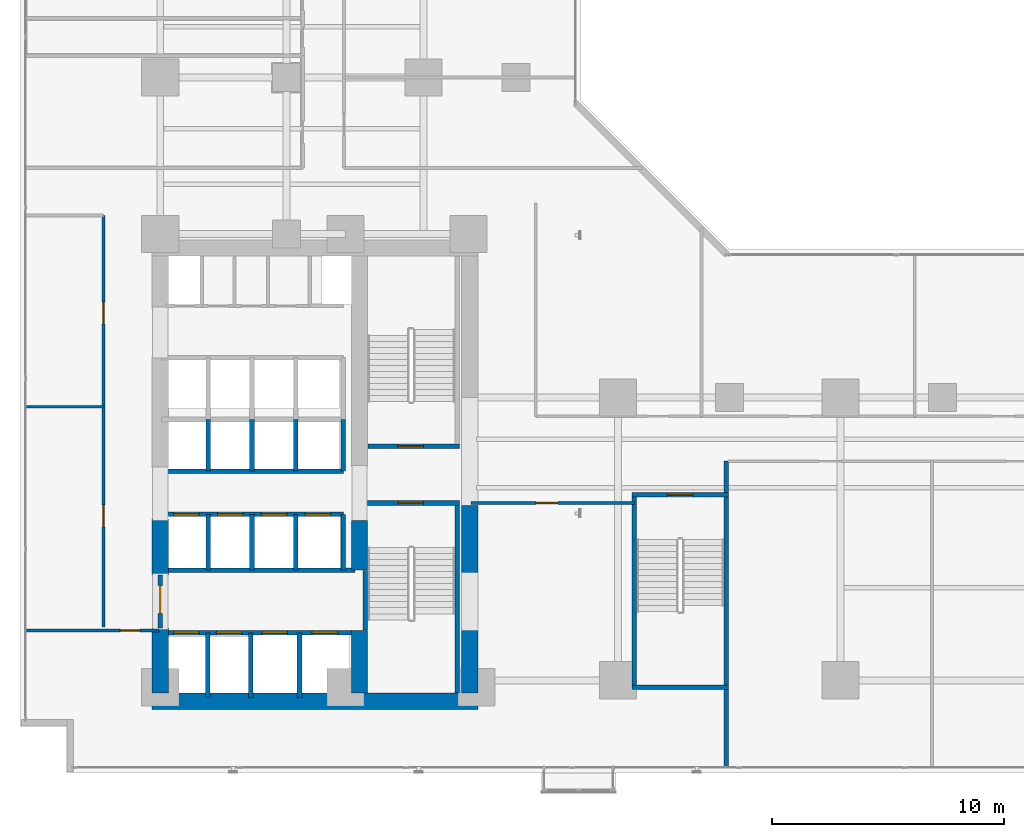
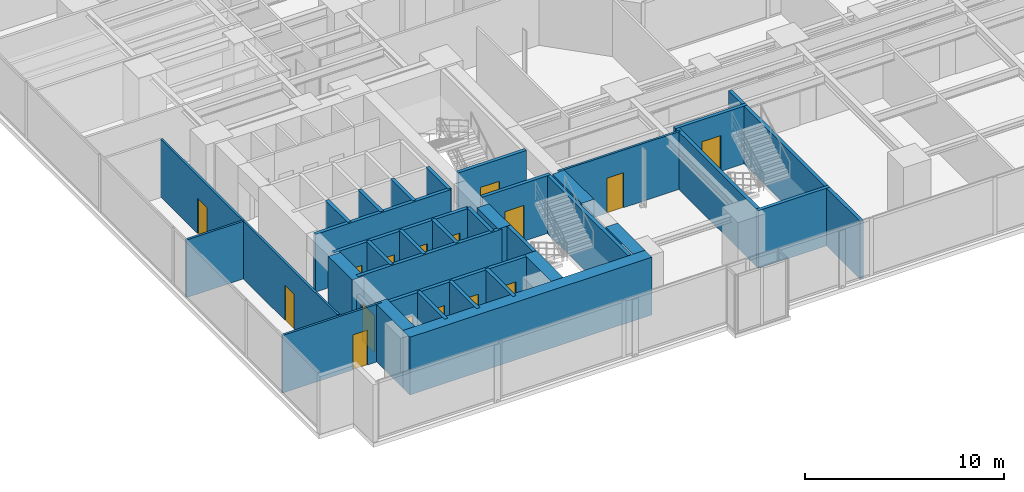
# One storey, part 22 of 26: 35 walls, 16 doors, 16 openings.
"""IFC4 building model written with IfcOpenShell, lengths in metres."""

from ifc_helpers import new_model, si_unit, direction, frame, frame_2d, origin, place, context, subcontext, project, spatial, rectangle, extrude, material, layer, layer_set, type_object, element, fill, save


model = new_model("IFC4")

# Units and contexts
model_context = context("Model", 3, precision=1e-05, world=origin(), true_north=direction((0.0, 1.0)))
body_context = subcontext(model_context, "Body", "Model", "MODEL_VIEW")
ifc_project = project(units=[si_unit("LENGTHUNIT", "METRE"), si_unit("AREAUNIT", "SQUARE_METRE"), si_unit("VOLUMEUNIT", "CUBIC_METRE"), si_unit("PLANEANGLEUNIT", "RADIAN"), si_unit("MASSUNIT", "GRAM", prefix="KILO")], contexts=[model_context])

# Site, building, storey
site_placement = place(None, origin())
site = spatial("IfcSite", under=ifc_project, at=site_placement, CompositionType="ELEMENT")
building_placement = place(site_placement, origin())
building = spatial("IfcBuilding", under=site, at=building_placement, Name="Kolvaren Waterfront Exchange", CompositionType="ELEMENT")
storey_placement = place(building_placement, frame((0.0, 0.0, 44.800048828125)))
storey = spatial("IfcBuildingStorey", under=building, at=storey_placement, Name="L11", CompositionType="ELEMENT", Elevation=44.800048828125)

# Wall, opening, door
ifc_material_1 = material(Name="Precast concrete C40/50", Category="concrete")
ifc_layer_1 = layer(ifc_material_1, 0.199951171875, Name="Precast concrete C40/50")
ifc_layer_set_1 = layer_set([ifc_layer_1], Name="Precast concrete C40/50")
wall_type_1 = type_object("IfcWallType", Name="ARC-FIRE-200", PredefinedType="PARTITIONING", material=ifc_layer_set_1)
wall_1_placement = place(storey_placement, frame((16.39990234375, 12.85009765625, 0.0), z_axis=(0.0, 0.0, 1.0), x_axis=(1.0, 0.0, 0.0)))
wall_1 = element("IfcWall", 1, at=wall_1_placement, inside=storey, type_object=wall_type_1, Name="L11 interior wall PW-L11-ST1-THROAT-S", PredefinedType="PARTITIONING", context=body_context, shape_type="SweptSolid", body=[
    extrude(rectangle(XDim=3.960205078125, YDim=0.199951171875, at=frame_2d((1.97998046875, 0.0))), origin(), (0.0, 0.0, 1.0), 3.5400390625),
])
opening_1_placement = place(wall_1_placement, frame((1.3037109375, 0.0, 0.0)))
opening_1 = element("IfcOpeningElement", 2, at=opening_1_placement, cuts=wall_1, Name="Opening FD2", PredefinedType="OPENING", context=body_context, shape_type="SweptSolid", body=[
    extrude(rectangle(XDim=1.10009765625, YDim=2.199951171875, at=frame_2d((0.550048828125, 1.10009765625))), frame((0.0, 0.10986328125, 0.0), z_axis=(0.0, -1.0, 0.0), x_axis=(1.0, 0.0, 0.0)), (0.0, 0.0, 1.0), 0.219970703125),
])
ifc_material_2 = material(Name="Pressed steel smoke-seal fire door", Category="steel")
door_type_1 = type_object("IfcDoorType", Name="ARC-FD-1100", OperationType="NOTDEFINED", PredefinedType="DOOR", material=ifc_material_2)
door_1_placement = place(opening_1_placement, frame((1.10009765625, 0.0, 0.0), z_axis=(0.0, 0.0, 1.0), x_axis=(-1.0, 0.0, 0.0)))
door_1 = element("IfcDoor", 3, at=door_1_placement, inside=storey, type_object=door_type_1, Name="L11 door DR-L11-ST1-IN (FD2)", OperationType="SINGLE_SWING_RIGHT", OverallHeight=2.199951171875, OverallWidth=1.10009765625, PredefinedType="DOOR", context=body_context, shape_type="SweptSolid", body=[
    extrude(rectangle(XDim=1.10009765625, YDim=2.199951171875, at=frame_2d((0.550048828125, 1.10009765625))), frame((0.0, 0.02490234375, 0.0), z_axis=(0.0, -1.0, 0.0), x_axis=(1.0, 0.0, 0.0)), (0.0, 0.0, 1.0), 0.050048828125),
])
fill(opening_1, door_1)

wall_2_placement = place(storey_placement, frame((16.409912109375, 15.300048828125, 0.0), z_axis=(0.0, 0.0, 1.0), x_axis=(1.0, 0.0, 0.0)))
wall_2 = element("IfcWall", 4, at=wall_2_placement, inside=storey, type_object=wall_type_1, Name="L11 interior wall PW-L11-ST2-THROAT-N", PredefinedType="PARTITIONING", context=body_context, shape_type="SweptSolid", body=[
    extrude(rectangle(XDim=3.9501953125, YDim=0.199951171875, at=frame_2d((1.97509765625, 0.0))), origin(), (0.0, 0.0, 1.0), 3.5400390625),
])
opening_2_placement = place(wall_2_placement, frame((1.293701171875, 0.0, 0.0)))
opening_2 = element("IfcOpeningElement", 5, at=opening_2_placement, cuts=wall_2, Name="Opening FD2", PredefinedType="OPENING", context=body_context, shape_type="SweptSolid", body=[
    extrude(rectangle(XDim=1.10009765625, YDim=2.199951171875, at=frame_2d((0.550048828125, 1.10009765625))), frame((0.0, 0.10986328125, 0.0), z_axis=(0.0, -1.0, 0.0), x_axis=(1.0, 0.0, 0.0)), (0.0, 0.0, 1.0), 0.219970703125),
])
door_2_placement = place(opening_2_placement, origin())
door_2 = element("IfcDoor", 6, at=door_2_placement, inside=storey, type_object=door_type_1, Name="L11 door DR-L11-ST2-IN (FD2)", OperationType="SINGLE_SWING_LEFT", OverallHeight=2.199951171875, OverallWidth=1.10009765625, PredefinedType="DOOR", context=body_context, shape_type="SweptSolid", body=[
    extrude(rectangle(XDim=1.10009765625, YDim=2.199951171875, at=frame_2d((0.550048828125, 1.10009765625))), frame((0.0, 0.02490234375, 0.0), z_axis=(0.0, -1.0, 0.0), x_axis=(1.0, 0.0, 0.0)), (0.0, 0.0, 1.0), 0.050048828125),
])
fill(opening_2, door_2)

# Wall
wall_3_placement = place(storey_placement, frame((7.5, 9.949951171875, 0.0), z_axis=(0.0, 0.0, 1.0), x_axis=(1.0, 0.0, 0.0)))
element("IfcWall", 7, at=wall_3_placement, inside=storey, type_object=wall_type_1, Name="L11 interior wall PW-L11-FF-N", PredefinedType="PARTITIONING", context=body_context, shape_type="SweptSolid", body=[
    extrude(rectangle(XDim=8.35009765625, YDim=0.199951171875, at=frame_2d((4.175048828125, 0.0))), origin(), (0.0, 0.0, 1.0), 3.5400390625),
])

# Wall, opening, door
wall_4_placement = place(storey_placement, frame((7.449951171875, 7.449951171875, 0.0), z_axis=(0.0, 0.0, 1.0), x_axis=(0.0, 1.0, 0.0)))
wall_4 = element("IfcWall", 8, at=wall_4_placement, inside=storey, type_object=wall_type_1, Name="L11 interior wall PW-L11-FF-W-DOOR", PredefinedType="PARTITIONING", context=body_context, shape_type="SweptSolid", body=[
    extrude(rectangle(XDim=2.300048828125, YDim=0.199951171875, at=frame_2d((1.14990234375, 0.0))), origin(), (0.0, 0.0, 1.0), 2.52001953125),
])
opening_3_placement = place(wall_4_placement, frame((0.63330078125, 0.0, 0.0)))
opening_3 = element("IfcOpeningElement", 9, at=opening_3_placement, cuts=wall_4, Name="Opening FD3", PredefinedType="OPENING", context=body_context, shape_type="SweptSolid", body=[
    extrude(rectangle(XDim=1.199951171875, YDim=2.25, at=frame_2d((0.60009765625, 1.125))), frame((0.0, 0.10986328125, 0.0), z_axis=(0.0, -1.0, 0.0), x_axis=(1.0, 0.0, 0.0)), (0.0, 0.0, 1.0), 0.219970703125),
])
ifc_material_3 = material(Name="Pressed steel fire door", Category="steel")
door_type_2 = type_object("IfcDoorType", Name="ARC-FD-1200", OperationType="NOTDEFINED", PredefinedType="DOOR", material=ifc_material_3)
door_3_placement = place(opening_3_placement, frame((1.199951171875, 0.0, 0.0), z_axis=(0.0, 0.0, 1.0), x_axis=(-1.0, 0.0, 0.0)))
door_3 = element("IfcDoor", 10, at=door_3_placement, inside=storey, type_object=door_type_2, Name="L11 door DR-L11-FF-OUT (FD3)", OperationType="SINGLE_SWING_LEFT", OverallHeight=2.25, OverallWidth=1.199951171875, PredefinedType="DOOR", context=body_context, shape_type="SweptSolid", body=[
    extrude(rectangle(XDim=1.199951171875, YDim=2.25, at=frame_2d((0.60009765625, 1.125))), frame((0.0, 0.02490234375, 0.0), z_axis=(0.0, -1.0, 0.0), x_axis=(1.0, 0.0, 0.0)), (0.0, 0.0, 1.0), 0.050048828125),
])
fill(opening_3, door_3)

ifc_material_4 = material(Name="Acoustic gypsum steel stud", Category="steel")
ifc_layer_2 = layer(ifc_material_4, 0.125, Name="Acoustic gypsum steel stud")
ifc_layer_set_2 = layer_set([ifc_layer_2], Name="Acoustic gypsum steel stud")
wall_type_2 = type_object("IfcWallType", Name="ARC-PART-125", PredefinedType="PARTITIONING", material=ifc_layer_set_2)
wall_5_placement = place(storey_placement, frame((1.639892578125, 7.35009765625, 0.0), z_axis=(0.0, 0.0, 1.0), x_axis=(1.0, 0.0, 0.0)))
wall_5 = element("IfcWall", 11, at=wall_5_placement, inside=storey, type_object=wall_type_2, Name="L11 interior wall PW-L11-SWC-N", PredefinedType="PARTITIONING", context=body_context, shape_type="SweptSolid", body=[
    extrude(rectangle(XDim=5.760009765625, YDim=0.125, at=frame_2d((2.8798828125, 0.0))), origin(), (0.0, 0.0, 1.0), 3.5400390625),
])
opening_4_placement = place(wall_5_placement, frame((4.086669921875, 0.0, 0.0)))
opening_4 = element("IfcOpeningElement", 12, at=opening_4_placement, cuts=wall_5, Name="Opening D01", PredefinedType="OPENING", context=body_context, shape_type="SweptSolid", body=[
    extrude(rectangle(XDim=0.85009765625, YDim=2.14990234375, at=frame_2d((0.425048828125, 1.074951171875))), frame((0.0, 0.072509765625, 0.0), z_axis=(0.0, -1.0, 0.0), x_axis=(1.0, 0.0, 0.0)), (0.0, 0.0, 1.0), 0.14501953125),
])
ifc_material_5 = material(Name="Oak veneer timber leaf", Category="wood")
door_type_3 = type_object("IfcDoorType", Name="ARC-DR-900", OperationType="NOTDEFINED", PredefinedType="DOOR", material=ifc_material_5)
door_4_placement = place(opening_4_placement, origin())
door_4 = element("IfcDoor", 13, at=door_4_placement, inside=storey, type_object=door_type_3, Name="L11 door DR-L11-SWC-D (D01)", OperationType="SINGLE_SWING_RIGHT", OverallHeight=2.14990234375, OverallWidth=0.85009765625, PredefinedType="DOOR", context=body_context, shape_type="SweptSolid", body=[
    extrude(rectangle(XDim=0.85009765625, YDim=2.14990234375, at=frame_2d((0.425048828125, 1.074951171875))), frame((0.0, 0.02490234375, 0.0), z_axis=(0.0, -1.0, 0.0), x_axis=(1.0, 0.0, 0.0)), (0.0, 0.0, 1.0), 0.050048828125),
])
fill(opening_4, door_4)

# Wall, openings, doors
wall_6_placement = place(storey_placement, frame((5.0, 7.5, 0.0), z_axis=(0.0, 0.0, 1.0), x_axis=(0.0, 1.0, 0.0)))
wall_6 = element("IfcWall", 14, at=wall_6_placement, inside=storey, type_object=wall_type_2, Name="L11 interior wall PW-L11-WFLANK-E", PredefinedType="PARTITIONING", context=body_context, shape_type="SweptSolid", body=[
    extrude(rectangle(XDim=17.75, YDim=0.125, at=frame_2d((8.875, 0.0))), origin(), (0.0, 0.0, 1.0), 3.5400390625),
])
opening_5_placement = place(wall_6_placement, frame((4.320068359375, 0.0, 0.0)))
opening_5 = element("IfcOpeningElement", 15, at=opening_5_placement, cuts=wall_6, Name="Opening D02", PredefinedType="OPENING", context=body_context, shape_type="SweptSolid", body=[
    extrude(rectangle(XDim=0.949951171875, YDim=2.14990234375, at=frame_2d((0.47509765625, 1.074951171875))), frame((0.0, 0.072509765625, 0.0), z_axis=(0.0, -1.0, 0.0), x_axis=(1.0, 0.0, 0.0)), (0.0, 0.0, 1.0), 0.14501953125),
])
opening_6_placement = place(wall_6_placement, frame((13.078857421875, 0.0, 0.0)))
opening_6 = element("IfcOpeningElement", 16, at=opening_6_placement, cuts=wall_6, Name="Opening D02", PredefinedType="OPENING", context=body_context, shape_type="SweptSolid", body=[
    extrude(rectangle(XDim=0.949951171875, YDim=2.14990234375, at=frame_2d((0.47509765625, 1.074951171875))), frame((0.0, 0.072509765625, 0.0), z_axis=(0.0, -1.0, 0.0), x_axis=(1.0, 0.0, 0.0)), (0.0, 0.0, 1.0), 0.14501953125),
])
ifc_material_6 = material(Name="Oak veneer acoustic timber", Category="wood")
door_type_4 = type_object("IfcDoorType", Name="ARC-DR-950", OperationType="NOTDEFINED", PredefinedType="DOOR", material=ifc_material_6)
door_5_placement = place(opening_5_placement, origin())
door_5 = element("IfcDoor", 17, at=door_5_placement, inside=storey, type_object=door_type_4, Name="L11 door DR-L11-WFL1-D (D02)", OperationType="SINGLE_SWING_LEFT", OverallHeight=2.14990234375, OverallWidth=0.949951171875, PredefinedType="DOOR", context=body_context, shape_type="SweptSolid", body=[
    extrude(rectangle(XDim=0.949951171875, YDim=2.14990234375, at=frame_2d((0.47509765625, 1.074951171875))), frame((0.0, 0.02490234375, 0.0), z_axis=(0.0, -1.0, 0.0), x_axis=(1.0, 0.0, 0.0)), (0.0, 0.0, 1.0), 0.050048828125),
])
fill(opening_5, door_5)
door_6_placement = place(opening_6_placement, origin())
door_6 = element("IfcDoor", 18, at=door_6_placement, inside=storey, type_object=door_type_4, Name="L11 door DR-L11-WFL2-D (D02)", OperationType="SINGLE_SWING_RIGHT", OverallHeight=2.14990234375, OverallWidth=0.949951171875, PredefinedType="DOOR", context=body_context, shape_type="SweptSolid", body=[
    extrude(rectangle(XDim=0.949951171875, YDim=2.14990234375, at=frame_2d((0.47509765625, 1.074951171875))), frame((0.0, 0.02490234375, 0.0), z_axis=(0.0, -1.0, 0.0), x_axis=(1.0, 0.0, 0.0)), (0.0, 0.0, 1.0), 0.050048828125),
])
fill(opening_6, door_6)

# Wall
wall_7_placement = place(storey_placement, frame((1.639892578125, 17.0, 0.0), z_axis=(0.0, 0.0, 1.0), x_axis=(1.0, 0.0, 0.0)))
element("IfcWall", 19, at=wall_7_placement, inside=storey, type_object=wall_type_2, Name="L11 interior wall PW-L11-WFLANK-MID", PredefinedType="PARTITIONING", context=body_context, shape_type="SweptSolid", body=[
    extrude(rectangle(XDim=3.360107421875, YDim=0.125, at=frame_2d((1.68017578125, 0.0))), origin(), (0.0, 0.0, 1.0), 3.5400390625),
])

# Wall, opening, door
wall_8_placement = place(storey_placement, frame((20.85009765625, 12.85009765625, 0.0), z_axis=(0.0, 0.0, 1.0), x_axis=(1.0, 0.0, 0.0)))
wall_8 = element("IfcWall", 20, at=wall_8_placement, inside=storey, type_object=wall_type_2, Name="L11 interior wall PW-L11-SWST3-N", PredefinedType="PARTITIONING", context=body_context, shape_type="SweptSolid", body=[
    extrude(rectangle(XDim=7.0498046875, YDim=0.125, at=frame_2d((3.52490234375, 0.0))), origin(), (0.0, 0.0, 1.0), 3.5400390625),
])
opening_7_placement = place(wall_8_placement, frame((2.800048828125, 0.0, 0.0)))
opening_7 = element("IfcOpeningElement", 21, at=opening_7_placement, cuts=wall_8, Name="Opening D02", PredefinedType="OPENING", context=body_context, shape_type="SweptSolid", body=[
    extrude(rectangle(XDim=0.949951171875, YDim=2.14990234375, at=frame_2d((0.47509765625, 1.074951171875))), frame((0.0, 0.072509765625, 0.0), z_axis=(0.0, -1.0, 0.0), x_axis=(1.0, 0.0, 0.0)), (0.0, 0.0, 1.0), 0.14501953125),
])
door_7_placement = place(opening_7_placement, origin())
door_7 = element("IfcDoor", 22, at=door_7_placement, inside=storey, type_object=door_type_4, Name="L11 door DR-L11-SWST3-D (D02)", OperationType="SINGLE_SWING_LEFT", OverallHeight=2.14990234375, OverallWidth=0.949951171875, PredefinedType="DOOR", context=body_context, shape_type="SweptSolid", body=[
    extrude(rectangle(XDim=0.949951171875, YDim=2.14990234375, at=frame_2d((0.47509765625, 1.074951171875))), frame((0.0, 0.02490234375, 0.0), z_axis=(0.0, -1.0, 0.0), x_axis=(1.0, 0.0, 0.0)), (0.0, 0.0, 1.0), 0.050048828125),
])
fill(opening_7, door_7)

# Walls
ifc_material_7 = material(Name="Concrete C40/50", Category="concrete")
ifc_layer_3 = layer(ifc_material_7, 0.199951171875, Name="Concrete C40/50")
ifc_layer_set_3 = layer_set([ifc_layer_3], Name="Concrete C40/50")
wall_type_3 = type_object("IfcWallType", Name="ARC-SHAFT-200", PredefinedType="PARTITIONING", material=ifc_layer_set_3)
wall_9_placement = place(storey_placement, frame((16.300048828125, 7.360107421875, 0.0), z_axis=(0.0, 0.0, 1.0), x_axis=(0.0, 1.0, 0.0)))
element("IfcWall", 23, at=wall_9_placement, inside=storey, type_object=wall_type_3, Name="L11 structural stairwell wall PW-L11-ST1-W", PredefinedType="SHEAR", context=body_context, shape_type="SweptSolid", body=[
    extrude(rectangle(XDim=2.579833984375, YDim=0.199951171875, at=frame_2d((1.2900390625, 0.0))), origin(), (0.0, 0.0, 1.0), 3.5400390625),
])
wall_10_placement = place(storey_placement, frame((20.260009765625, 4.659912109375, 0.0), z_axis=(0.0, 0.0, 1.0), x_axis=(0.0, 1.0, 0.0)))
element("IfcWall", 24, at=wall_10_placement, inside=storey, type_object=wall_type_3, Name="L11 structural stairwell wall PW-L11-ST1-E", PredefinedType="SHEAR", context=body_context, shape_type="SweptSolid", body=[
    extrude(rectangle(XDim=8.090087890625, YDim=0.199951171875, at=frame_2d((4.044921875, 0.0))), origin(), (0.0, 0.0, 1.0), 3.5400390625),
])
wall_11_placement = place(storey_placement, frame((27.89990234375, 5.0, 0.0), z_axis=(0.0, 0.0, 1.0), x_axis=(0.0, 1.0, 0.0)))
element("IfcWall", 25, at=wall_11_placement, inside=storey, type_object=wall_type_3, Name="L11 structural stairwell wall PW-L11-ST3-W", PredefinedType="SHEAR", context=body_context, shape_type="SweptSolid", body=[
    extrude(rectangle(XDim=8.10009765625, YDim=0.199951171875, at=frame_2d((4.050048828125, 0.0))), origin(), (0.0, 0.0, 1.0), 3.5400390625),
])
wall_12_placement = place(storey_placement, frame((31.860107421875, 1.43994140625, 0.0), z_axis=(0.0, 0.0, 1.0), x_axis=(0.0, 1.0, 0.0)))
element("IfcWall", 26, at=wall_12_placement, inside=storey, type_object=wall_type_3, Name="L11 structural stairwell wall PW-L11-ST3-E", PredefinedType="SHEAR", context=body_context, shape_type="SweptSolid", body=[
    extrude(rectangle(XDim=13.2099609375, YDim=0.199951171875, at=frame_2d((6.60498046875, 0.0))), origin(), (0.0, 0.0, 1.0), 3.5400390625),
])
wall_13_placement = place(storey_placement, frame((27.800048828125, 4.89990234375, 0.0), z_axis=(0.0, 0.0, 1.0), x_axis=(1.0, 0.0, 0.0)))
element("IfcWall", 27, at=wall_13_placement, inside=storey, type_object=wall_type_3, Name="L11 structural stairwell wall PW-L11-ST3-S", PredefinedType="SHEAR", context=body_context, shape_type="SweptSolid", body=[
    extrude(rectangle(XDim=4.159912109375, YDim=0.199951171875, at=frame_2d((2.080078125, 0.0))), origin(), (0.0, 0.0, 1.0), 3.5400390625),
])

# Wall, opening, door
wall_14_placement = place(storey_placement, frame((27.800048828125, 13.199951171875, 0.0), z_axis=(0.0, 0.0, 1.0), x_axis=(1.0, 0.0, 0.0)))
wall_14 = element("IfcWall", 28, at=wall_14_placement, inside=storey, type_object=wall_type_3, Name="L11 structural stairwell wall PW-L11-ST3-N", PredefinedType="SHEAR", context=body_context, shape_type="SweptSolid", body=[
    extrude(rectangle(XDim=4.159912109375, YDim=0.199951171875, at=frame_2d((2.080078125, 0.0))), origin(), (0.0, 0.0, 1.0), 3.5400390625),
])
opening_8_placement = place(wall_14_placement, frame((1.530029296875, 0.0, 0.0)))
opening_8 = element("IfcOpeningElement", 29, at=opening_8_placement, cuts=wall_14, Name="Opening FD2", PredefinedType="OPENING", context=body_context, shape_type="SweptSolid", body=[
    extrude(rectangle(XDim=1.10009765625, YDim=2.199951171875, at=frame_2d((0.550048828125, 1.10009765625))), frame((0.0, 0.10986328125, 0.0), z_axis=(0.0, -1.0, 0.0), x_axis=(1.0, 0.0, 0.0)), (0.0, 0.0, 1.0), 0.219970703125),
])
door_8_placement = place(opening_8_placement, frame((1.10009765625, 0.0, 0.0), z_axis=(0.0, 0.0, 1.0), x_axis=(-1.0, 0.0, 0.0)))
door_8 = element("IfcDoor", 30, at=door_8_placement, inside=storey, type_object=door_type_1, Name="L11 door DR-L11-ST3-IN (FD2)", OperationType="SINGLE_SWING_RIGHT", OverallHeight=2.199951171875, OverallWidth=1.10009765625, PredefinedType="DOOR", context=body_context, shape_type="SweptSolid", body=[
    extrude(rectangle(XDim=1.10009765625, YDim=2.199951171875, at=frame_2d((0.550048828125, 1.10009765625))), frame((0.0, 0.02490234375, 0.0), z_axis=(0.0, -1.0, 0.0), x_axis=(1.0, 0.0, 0.0)), (0.0, 0.0, 1.0), 0.050048828125),
])
fill(opening_8, door_8)

# Wall, openings, doors
wall_15_placement = place(storey_placement, frame((7.5, 7.25, 0.0), z_axis=(0.0, 0.0, 1.0), x_axis=(1.0, 0.0, 0.0)))
wall_15 = element("IfcWall", 31, at=wall_15_placement, inside=storey, type_object=wall_type_3, Name="L11 interior wall PW-L11-FF-S", PredefinedType="PARTITIONING", context=body_context, shape_type="SweptSolid", body=[
    extrude(rectangle(XDim=8.35009765625, YDim=0.199951171875, at=frame_2d((4.175048828125, 0.0))), origin(), (0.0, 0.0, 1.0), 3.5400390625),
])
opening_9_placement = place(wall_15_placement, frame((0.530029296875, 0.0, 0.0)))
opening_9 = element("IfcOpeningElement", 32, at=opening_9_placement, cuts=wall_15, Name="Opening LD1", PredefinedType="OPENING", context=body_context, shape_type="SweptSolid", body=[
    extrude(rectangle(XDim=1.10009765625, YDim=2.199951171875, at=frame_2d((0.550048828125, 1.10009765625))), frame((0.0, 0.10986328125, 0.0), z_axis=(0.0, -1.0, 0.0), x_axis=(1.0, 0.0, 0.0)), (0.0, 0.0, 1.0), 0.219970703125),
])
opening_10_placement = place(wall_15_placement, frame((2.3701171875, 0.0, 0.0)))
opening_10 = element("IfcOpeningElement", 33, at=opening_10_placement, cuts=wall_15, Name="Opening LD1", PredefinedType="OPENING", context=body_context, shape_type="SweptSolid", body=[
    extrude(rectangle(XDim=1.10009765625, YDim=2.199951171875, at=frame_2d((0.550048828125, 1.10009765625))), frame((0.0, 0.10986328125, 0.0), z_axis=(0.0, -1.0, 0.0), x_axis=(1.0, 0.0, 0.0)), (0.0, 0.0, 1.0), 0.219970703125),
])
opening_11_placement = place(wall_15_placement, frame((4.330078125, 0.0, 0.0)))
opening_11 = element("IfcOpeningElement", 34, at=opening_11_placement, cuts=wall_15, Name="Opening LD1", PredefinedType="OPENING", context=body_context, shape_type="SweptSolid", body=[
    extrude(rectangle(XDim=1.10009765625, YDim=2.199951171875, at=frame_2d((0.550048828125, 1.10009765625))), frame((0.0, 0.10986328125, 0.0), z_axis=(0.0, -1.0, 0.0), x_axis=(1.0, 0.0, 0.0)), (0.0, 0.0, 1.0), 0.219970703125),
])
opening_12_placement = place(wall_15_placement, frame((6.5, 0.0, 0.0)))
opening_12 = element("IfcOpeningElement", 35, at=opening_12_placement, cuts=wall_15, Name="Opening LD1", PredefinedType="OPENING", context=body_context, shape_type="SweptSolid", body=[
    extrude(rectangle(XDim=1.10009765625, YDim=2.199951171875, at=frame_2d((0.550048828125, 1.10009765625))), frame((0.0, 0.10986328125, 0.0), z_axis=(0.0, -1.0, 0.0), x_axis=(1.0, 0.0, 0.0)), (0.0, 0.0, 1.0), 0.219970703125),
])
ifc_material_8 = material(Name="Stainless steel sliding landing door", Category="steel")
door_type_5 = type_object("IfcDoorType", Name="ARC-LD-FF", OperationType="SLIDING_TO_LEFT", PredefinedType="DOOR", material=ifc_material_8)
door_9_placement = place(opening_9_placement, origin())
door_9 = element("IfcDoor", 36, at=door_9_placement, inside=storey, type_object=door_type_5, Name="L11 door LD-L11-FFL1 (LD1)", OperationType="SLIDING_TO_LEFT", OverallHeight=2.199951171875, OverallWidth=1.10009765625, PredefinedType="DOOR", context=body_context, shape_type="SweptSolid", body=[
    extrude(rectangle(XDim=1.10009765625, YDim=2.199951171875, at=frame_2d((0.550048828125, 1.10009765625))), frame((0.0, 0.02490234375, 0.0), z_axis=(0.0, -1.0, 0.0), x_axis=(1.0, 0.0, 0.0)), (0.0, 0.0, 1.0), 0.050048828125),
])
fill(opening_9, door_9)
door_10_placement = place(opening_10_placement, origin())
door_10 = element("IfcDoor", 37, at=door_10_placement, inside=storey, type_object=door_type_5, Name="L11 door LD-L11-FFL2 (LD1)", OperationType="SLIDING_TO_LEFT", OverallHeight=2.199951171875, OverallWidth=1.10009765625, PredefinedType="DOOR", context=body_context, shape_type="SweptSolid", body=[
    extrude(rectangle(XDim=1.10009765625, YDim=2.199951171875, at=frame_2d((0.550048828125, 1.10009765625))), frame((0.0, 0.02490234375, 0.0), z_axis=(0.0, -1.0, 0.0), x_axis=(1.0, 0.0, 0.0)), (0.0, 0.0, 1.0), 0.050048828125),
])
fill(opening_10, door_10)
door_11_placement = place(opening_11_placement, origin())
door_11 = element("IfcDoor", 38, at=door_11_placement, inside=storey, type_object=door_type_5, Name="L11 door LD-L11-GL1 (LD1)", OperationType="SLIDING_TO_LEFT", OverallHeight=2.199951171875, OverallWidth=1.10009765625, PredefinedType="DOOR", context=body_context, shape_type="SweptSolid", body=[
    extrude(rectangle(XDim=1.10009765625, YDim=2.199951171875, at=frame_2d((0.550048828125, 1.10009765625))), frame((0.0, 0.02490234375, 0.0), z_axis=(0.0, -1.0, 0.0), x_axis=(1.0, 0.0, 0.0)), (0.0, 0.0, 1.0), 0.050048828125),
])
fill(opening_11, door_11)
door_12_placement = place(opening_12_placement, origin())
door_12 = element("IfcDoor", 39, at=door_12_placement, inside=storey, type_object=door_type_5, Name="L11 door LD-L11-GL2 (LD1)", OperationType="SLIDING_TO_LEFT", OverallHeight=2.199951171875, OverallWidth=1.10009765625, PredefinedType="DOOR", context=body_context, shape_type="SweptSolid", body=[
    extrude(rectangle(XDim=1.10009765625, YDim=2.199951171875, at=frame_2d((0.550048828125, 1.10009765625))), frame((0.0, 0.02490234375, 0.0), z_axis=(0.0, -1.0, 0.0), x_axis=(1.0, 0.0, 0.0)), (0.0, 0.0, 1.0), 0.050048828125),
])
fill(opening_12, door_12)

# Walls
for number, where, z_axis, x_axis, name in (
    (40, (9.5, 4.449951171875, 0.0), (0.0, 0.0, 1.0), (0.0, 1.0, 0.0), "L11 interior wall PW-L11-SH1-DIV-95"),
    (41, (11.360107421875, 4.449951171875, 0.0), (0.0, 0.0, 1.0), (0.0, 1.0, 0.0), "L11 interior wall PW-L11-SH1-DIV-113"),
    (42, (13.4599609375, 4.449951171875, 0.0), (0.0, 0.0, 1.0), (0.0, 1.0, 0.0), "L11 interior wall PW-L11-SH1-DIV-134"),
):
    element("IfcWall", number, at=place(storey_placement, frame(where, z_axis=z_axis, x_axis=x_axis)), inside=storey, type_object=wall_type_3, Name=name, PredefinedType="PARTITIONING", context=body_context, shape_type="SweptSolid", body=[
        extrude(rectangle(XDim=2.800048828125, YDim=0.199951171875, at=frame_2d((1.39990234375, 0.0))), origin(), (0.0, 0.0, 1.0), 3.5400390625),
    ])

# Wall, openings, doors
wall_16_placement = place(storey_placement, frame((7.5, 12.360107421875, 0.0), z_axis=(0.0, 0.0, 1.0), x_axis=(1.0, 0.0, 0.0)))
wall_16 = element("IfcWall", 43, at=wall_16_placement, inside=storey, type_object=wall_type_3, Name="L11 interior wall PW-L11-PL-N", PredefinedType="PARTITIONING", context=body_context, shape_type="SweptSolid", body=[
    extrude(rectangle(XDim=7.85009765625, YDim=0.199951171875, at=frame_2d((3.925048828125, 0.0))), origin(), (0.0, 0.0, 1.0), 3.5400390625),
])
opening_13_placement = place(wall_16_placement, frame((0.530029296875, 0.0, 0.0)))
opening_13 = element("IfcOpeningElement", 44, at=opening_13_placement, cuts=wall_16, Name="Opening LD2", PredefinedType="OPENING", context=body_context, shape_type="SweptSolid", body=[
    extrude(rectangle(XDim=1.10009765625, YDim=2.199951171875, at=frame_2d((0.550048828125, 1.10009765625))), frame((0.0, 0.10986328125, 0.0), z_axis=(0.0, -1.0, 0.0), x_axis=(1.0, 0.0, 0.0)), (0.0, 0.0, 1.0), 0.219970703125),
])
opening_14_placement = place(wall_16_placement, frame((2.419921875, 0.0, 0.0)))
opening_14 = element("IfcOpeningElement", 45, at=opening_14_placement, cuts=wall_16, Name="Opening LD2", PredefinedType="OPENING", context=body_context, shape_type="SweptSolid", body=[
    extrude(rectangle(XDim=1.10009765625, YDim=2.199951171875, at=frame_2d((0.550048828125, 1.10009765625))), frame((0.0, 0.10986328125, 0.0), z_axis=(0.0, -1.0, 0.0), x_axis=(1.0, 0.0, 0.0)), (0.0, 0.0, 1.0), 0.219970703125),
])
opening_15_placement = place(wall_16_placement, frame((4.31005859375, 0.0, 0.0)))
opening_15 = element("IfcOpeningElement", 46, at=opening_15_placement, cuts=wall_16, Name="Opening LD2", PredefinedType="OPENING", context=body_context, shape_type="SweptSolid", body=[
    extrude(rectangle(XDim=1.10009765625, YDim=2.199951171875, at=frame_2d((0.550048828125, 1.10009765625))), frame((0.0, 0.10986328125, 0.0), z_axis=(0.0, -1.0, 0.0), x_axis=(1.0, 0.0, 0.0)), (0.0, 0.0, 1.0), 0.219970703125),
])
opening_16_placement = place(wall_16_placement, frame((6.199951171875, 0.0, 0.0)))
opening_16 = element("IfcOpeningElement", 47, at=opening_16_placement, cuts=wall_16, Name="Opening LD2", PredefinedType="OPENING", context=body_context, shape_type="SweptSolid", body=[
    extrude(rectangle(XDim=1.10009765625, YDim=2.199951171875, at=frame_2d((0.550048828125, 1.10009765625))), frame((0.0, 0.10986328125, 0.0), z_axis=(0.0, -1.0, 0.0), x_axis=(1.0, 0.0, 0.0)), (0.0, 0.0, 1.0), 0.219970703125),
])
ifc_material_9 = material(Name="Brushed bronze sliding landing door", Category="aluminium")
door_type_6 = type_object("IfcDoorType", Name="ARC-LD-PAX", OperationType="SLIDING_TO_LEFT", PredefinedType="DOOR", material=ifc_material_9)
door_13_placement = place(opening_13_placement, origin())
door_13 = element("IfcDoor", 48, at=door_13_placement, inside=storey, type_object=door_type_6, Name="L11 door LD-L11-PL1 (LD2)", OperationType="SLIDING_TO_LEFT", OverallHeight=2.199951171875, OverallWidth=1.10009765625, PredefinedType="DOOR", context=body_context, shape_type="SweptSolid", body=[
    extrude(rectangle(XDim=1.10009765625, YDim=2.199951171875, at=frame_2d((0.550048828125, 1.10009765625))), frame((0.0, 0.02490234375, 0.0), z_axis=(0.0, -1.0, 0.0), x_axis=(1.0, 0.0, 0.0)), (0.0, 0.0, 1.0), 0.050048828125),
])
fill(opening_13, door_13)
door_14_placement = place(opening_14_placement, origin())
door_14 = element("IfcDoor", 49, at=door_14_placement, inside=storey, type_object=door_type_6, Name="L11 door LD-L11-PL2 (LD2)", OperationType="SLIDING_TO_LEFT", OverallHeight=2.199951171875, OverallWidth=1.10009765625, PredefinedType="DOOR", context=body_context, shape_type="SweptSolid", body=[
    extrude(rectangle(XDim=1.10009765625, YDim=2.199951171875, at=frame_2d((0.550048828125, 1.10009765625))), frame((0.0, 0.02490234375, 0.0), z_axis=(0.0, -1.0, 0.0), x_axis=(1.0, 0.0, 0.0)), (0.0, 0.0, 1.0), 0.050048828125),
])
fill(opening_14, door_14)
door_15_placement = place(opening_15_placement, origin())
door_15 = element("IfcDoor", 50, at=door_15_placement, inside=storey, type_object=door_type_6, Name="L11 door LD-L11-PL3 (LD2)", OperationType="SLIDING_TO_LEFT", OverallHeight=2.199951171875, OverallWidth=1.10009765625, PredefinedType="DOOR", context=body_context, shape_type="SweptSolid", body=[
    extrude(rectangle(XDim=1.10009765625, YDim=2.199951171875, at=frame_2d((0.550048828125, 1.10009765625))), frame((0.0, 0.02490234375, 0.0), z_axis=(0.0, -1.0, 0.0), x_axis=(1.0, 0.0, 0.0)), (0.0, 0.0, 1.0), 0.050048828125),
])
fill(opening_15, door_15)
door_16_placement = place(opening_16_placement, origin())
door_16 = element("IfcDoor", 51, at=door_16_placement, inside=storey, type_object=door_type_6, Name="L11 door LD-L11-PL4 (LD2)", OperationType="SLIDING_TO_LEFT", OverallHeight=2.199951171875, OverallWidth=1.10009765625, PredefinedType="DOOR", context=body_context, shape_type="SweptSolid", body=[
    extrude(rectangle(XDim=1.10009765625, YDim=2.199951171875, at=frame_2d((0.550048828125, 1.10009765625))), frame((0.0, 0.02490234375, 0.0), z_axis=(0.0, -1.0, 0.0), x_axis=(1.0, 0.0, 0.0)), (0.0, 0.0, 1.0), 0.050048828125),
])
fill(opening_16, door_16)

# Walls
for number, where, z_axis, x_axis, name in (
    (52, (15.35009765625, 9.949951171875, 0.0), (0.0, 0.0, 1.0), (0.0, 1.0, 0.0), "L11 interior wall PW-L11-PL-E"),
    (53, (9.52001953125, 9.949951171875, 0.0), (0.0, 0.0, 1.0), (0.0, 1.0, 0.0), "L11 interior wall PW-L11-SH2-DIV-95"),
    (54, (11.409912109375, 9.949951171875, 0.0), (0.0, 0.0, 1.0), (0.0, 1.0, 0.0), "L11 interior wall PW-L11-SH2-DIV-114"),
    (55, (13.300048828125, 9.949951171875, 0.0), (0.0, 0.0, 1.0), (0.0, 1.0, 0.0), "L11 interior wall PW-L11-SH2-DIV-133"),
):
    element("IfcWall", number, at=place(storey_placement, frame(where, z_axis=z_axis, x_axis=x_axis)), inside=storey, type_object=wall_type_3, Name=name, PredefinedType="PARTITIONING", context=body_context, shape_type="SweptSolid", body=[
        extrude(rectangle(XDim=2.41015625, YDim=0.199951171875, at=frame_2d((1.205078125, 0.0))), origin(), (0.0, 0.0, 1.0), 3.5400390625),
    ])
wall_17_placement = place(storey_placement, frame((7.5, 14.219970703125, 0.0), z_axis=(0.0, 0.0, 1.0), x_axis=(1.0, 0.0, 0.0)))
element("IfcWall", 56, at=wall_17_placement, inside=storey, type_object=wall_type_3, Name="L11 interior wall PW-L11-PM-S", PredefinedType="PARTITIONING", context=body_context, shape_type="SweptSolid", body=[
    extrude(rectangle(XDim=7.85009765625, YDim=0.199951171875, at=frame_2d((3.925048828125, 0.0))), origin(), (0.0, 0.0, 1.0), 3.5400390625),
])
for number, where, z_axis, x_axis, name in (
    (57, (15.35009765625, 14.219970703125, 0.0), (0.0, 0.0, 1.0), (0.0, 1.0, 0.0), "L11 interior wall PW-L11-PM-E"),
    (58, (9.52001953125, 14.219970703125, 0.0), (0.0, 0.0, 1.0), (0.0, 1.0, 0.0), "L11 interior wall PW-L11-SH3-DIV-95"),
    (59, (11.409912109375, 14.219970703125, 0.0), (0.0, 0.0, 1.0), (0.0, 1.0, 0.0), "L11 interior wall PW-L11-SH3-DIV-114"),
    (60, (13.300048828125, 14.219970703125, 0.0), (0.0, 0.0, 1.0), (0.0, 1.0, 0.0), "L11 interior wall PW-L11-SH3-DIV-133"),
):
    element("IfcWall", number, at=place(storey_placement, frame(where, z_axis=z_axis, x_axis=x_axis)), inside=storey, type_object=wall_type_3, Name=name, PredefinedType="PARTITIONING", context=body_context, shape_type="SweptSolid", body=[
        extrude(rectangle(XDim=2.22998046875, YDim=0.199951171875, at=frame_2d((1.114990234375, 0.0))), origin(), (0.0, 0.0, 1.0), 3.5400390625),
    ])
ifc_material_10 = material(Name="Concrete C70/85", Category="concrete")
ifc_layer_4 = layer(ifc_material_10, 0.699951171875, Name="Concrete C70/85")
ifc_layer_set_4 = layer_set([ifc_layer_4], Name="Concrete C70/85")
wall_type_4 = type_object("IfcWallType", Name="STR-CWALL-700", PredefinedType="SHEAR", material=ifc_layer_set_4)
wall_18_placement = place(storey_placement, frame((7.10009765625, 4.300048828125, 0.0), z_axis=(0.0, 0.0, 1.0), x_axis=(1.0, 0.0, 0.0)))
element("IfcWall", 61, at=wall_18_placement, inside=storey, type_object=wall_type_4, Name="L11 rear-core shear wall S", PredefinedType="SHEAR", context=body_context, shape_type="SweptSolid", body=[
    extrude(rectangle(XDim=14.0498046875, YDim=0.699951171875, at=frame_2d((7.02490234375, 0.0))), origin(), (0.0, 0.0, 1.0), 3.5400390625),
])
wall_19_placement = place(storey_placement, frame((7.449951171875, 4.64990234375, 0.0), z_axis=(0.0, 0.0, 1.0), x_axis=(0.0, 1.0, 0.0)))
element("IfcWall", 62, at=wall_19_placement, inside=storey, type_object=wall_type_4, Name="L11 rear-core shear wall W1", PredefinedType="SHEAR", context=body_context, shape_type="SweptSolid", body=[
    extrude(rectangle(XDim=2.800048828125, YDim=0.699951171875, at=frame_2d((1.39990234375, 0.0))), origin(), (0.0, 0.0, 1.0), 3.5400390625),
])
wall_20_placement = place(storey_placement, frame((7.449951171875, 9.75, 0.0), z_axis=(0.0, 0.0, 1.0), x_axis=(0.0, 1.0, 0.0)))
element("IfcWall", 63, at=wall_20_placement, inside=storey, type_object=wall_type_4, Name="L11 rear-core shear wall W2A", PredefinedType="SHEAR", context=body_context, shape_type="SweptSolid", body=[
    extrude(rectangle(XDim=2.39990234375, YDim=0.699951171875, at=frame_2d((1.199951171875, 0.0))), origin(), (0.0, 0.0, 1.0), 3.5400390625),
])
wall_21_placement = place(storey_placement, frame((20.800048828125, 4.64990234375, 0.0), z_axis=(0.0, 0.0, 1.0), x_axis=(0.0, 1.0, 0.0)))
element("IfcWall", 64, at=wall_21_placement, inside=storey, type_object=wall_type_4, Name="L11 rear-core shear wall E1", PredefinedType="SHEAR", context=body_context, shape_type="SweptSolid", body=[
    extrude(rectangle(XDim=2.75, YDim=0.699951171875, at=frame_2d((1.375, 0.0))), origin(), (0.0, 0.0, 1.0), 3.5400390625),
])
wall_22_placement = place(storey_placement, frame((20.800048828125, 9.800048828125, 0.0), z_axis=(0.0, 0.0, 1.0), x_axis=(0.0, 1.0, 0.0)))
element("IfcWall", 65, at=wall_22_placement, inside=storey, type_object=wall_type_4, Name="L11 rear-core shear wall E2", PredefinedType="SHEAR", context=body_context, shape_type="SweptSolid", body=[
    extrude(rectangle(XDim=2.949951171875, YDim=0.699951171875, at=frame_2d((1.47509765625, 0.0))), origin(), (0.0, 0.0, 1.0), 3.5400390625),
])
wall_23_placement = place(storey_placement, frame((16.050048828125, 4.64990234375, 0.0), z_axis=(0.0, 0.0, 1.0), x_axis=(0.0, 1.0, 0.0)))
element("IfcWall", 66, at=wall_23_placement, inside=storey, type_object=wall_type_4, Name="L11 rear-core shear wall M1", PredefinedType="SHEAR", context=body_context, shape_type="SweptSolid", body=[
    extrude(rectangle(XDim=2.7001953125, YDim=0.699951171875, at=frame_2d((1.35009765625, 0.0))), origin(), (0.0, 0.0, 1.0), 3.5400390625),
])
wall_24_placement = place(storey_placement, frame((16.050048828125, 9.949951171875, 0.0), z_axis=(0.0, 0.0, 1.0), x_axis=(0.0, 1.0, 0.0)))
element("IfcWall", 67, at=wall_24_placement, inside=storey, type_object=wall_type_4, Name="L11 rear-core shear wall M2", PredefinedType="SHEAR", context=body_context, shape_type="SweptSolid", body=[
    extrude(rectangle(XDim=2.150146484375, YDim=0.699951171875, at=frame_2d((1.0751953125, 0.0))), origin(), (0.0, 0.0, 1.0), 3.5400390625),
])

save(model, "model.ifc")
